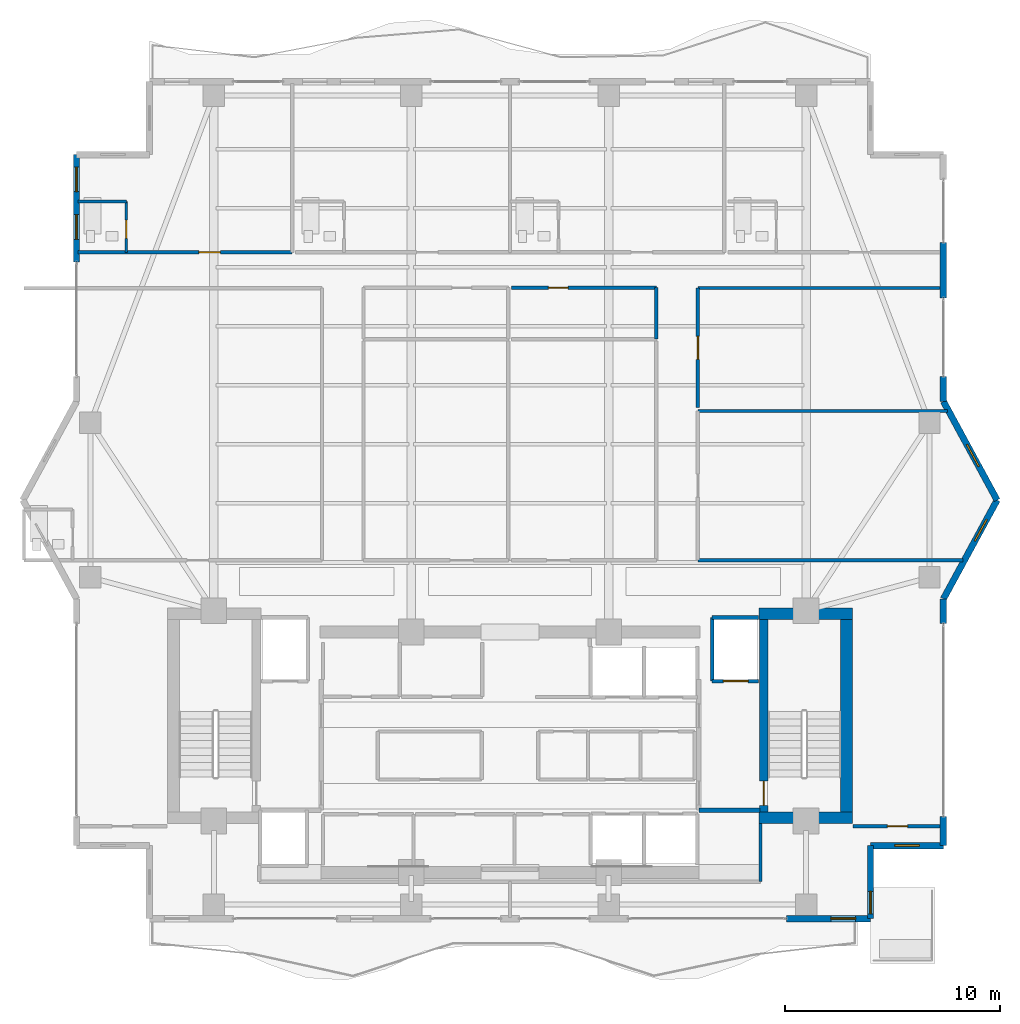
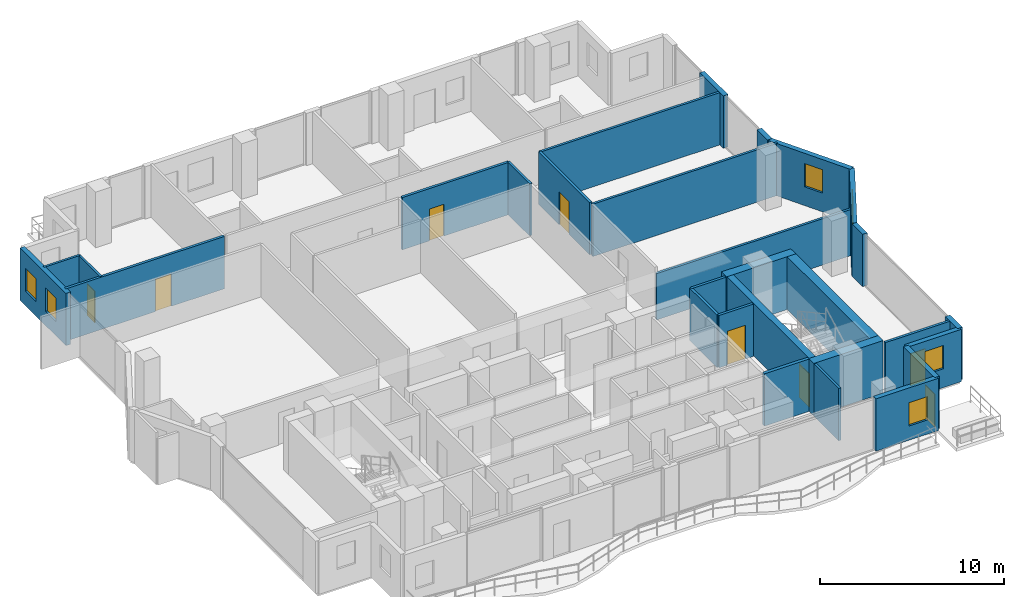
# One storey, part 21 of 26: 29 walls, 8 doors, 6 windows, 14 openings.
"""IFC4 building model written with IfcOpenShell, lengths in metres."""

import ifcopenshell
import ifcopenshell.guid

model = None  # the IFC model being written
_history = None  # IfcOwnerHistory: only IFC2X3 demands one
_inside = {}  # id of a spatial element -> (the spatial element, [elements in it])
_under = {}  # id of a project, library or spatial element -> (it, [spatial elements below it])
_declared = {}  # id of a project -> (the project, [libraries it declares])
_typed = {}  # id of a type object -> (the type object, [elements of that type])
_made_of = {}  # id of a material, layer set ... -> (it, [elements and type objects made of it])


def new_model(schema):
    """Start an empty IFC model of exactly this schema.

    Asked for "IFC4X3", IfcOpenShell would pick the latest addendum, in which some entities
    have other attributes; the version numbers below select the first issue.
    IFC2X3 requires an IfcOwnerHistory on every rooted entity: one is made here for all.
    """
    global model, _history
    if schema == "IFC4X3":
        model = ifcopenshell.file(schema_version=(4, 3, 0, 0))
    else:
        model = ifcopenshell.file(schema=schema)
    _inside.clear()
    _under.clear()
    _declared.clear()
    _typed.clear()
    _made_of.clear()
    _history = None
    if model.schema == "IFC2X3":
        org = make("IfcOrganization", Name="unknown")
        user = make(
            "IfcPersonAndOrganization",
            ThePerson=make("IfcPerson", FamilyName="unknown"),
            TheOrganization=org,
        )
        app = make(
            "IfcApplication",
            ApplicationDeveloper=org,
            Version="unknown",
            ApplicationFullName="unknown",
            ApplicationIdentifier="unknown",
        )
        _history = make(
            "IfcOwnerHistory",
            OwningUser=user,
            OwningApplication=app,
            ChangeAction="ADDED",
            CreationDate=0,
        )
    return model


def make(cls, **values):
    """One entity of the class cls with the attributes given. An attribute that is None is left unset."""
    return model.create_entity(
        cls, **{name: value for name, value in values.items() if value is not None}
    )


def rooted(cls, **values):
    """An entity with a GlobalId (a new one), such as an element, a storey or a relation."""
    return make(cls, GlobalId=ifcopenshell.guid.new(), OwnerHistory=_history, **values)


def si_unit(unit_type, name, prefix=None):
    """IfcSIUnit, for example si_unit("LENGTHUNIT", "METRE", prefix="MILLI")."""
    return make("IfcSIUnit", UnitType=unit_type, Prefix=prefix, Name=name)


def assignment(units):
    """IfcUnitAssignment: the units of a project."""
    return None if units is None else make("IfcUnitAssignment", Units=units)


def point(xyz):
    """IfcCartesianPoint."""
    return None if xyz is None else make("IfcCartesianPoint", Coordinates=xyz)


def direction(xyz):
    """IfcDirection."""
    return None if xyz is None else make("IfcDirection", DirectionRatios=xyz)


def frame(location, z_axis=None, x_axis=None):
    """IfcAxis2Placement3D, a coordinate frame: its origin and axes. An axis left out is left unset."""
    return make(
        "IfcAxis2Placement3D",
        Location=point(location),
        Axis=direction(z_axis),
        RefDirection=direction(x_axis),
    )


def frame_2d(location, x_axis=None):
    """IfcAxis2Placement2D, a coordinate frame in the plane: its origin and x axis."""
    return make(
        "IfcAxis2Placement2D", Location=point(location), RefDirection=direction(x_axis)
    )


def origin():
    """The frame at (0, 0, 0) with its axes left unset."""
    return frame((0.0, 0.0, 0.0))


def place(relative_to, where):
    """IfcLocalPlacement: puts the frame where relative to a parent placement (None: the world)."""
    return make(
        "IfcLocalPlacement", PlacementRelTo=relative_to, RelativePlacement=where
    )


def context(
    kind, dimensions, precision=None, world=None, true_north=None, identifier=None
):
    """IfcGeometricRepresentationContext, for example the 3D "Model" context."""
    return make(
        "IfcGeometricRepresentationContext",
        ContextIdentifier=identifier,
        ContextType=kind,
        CoordinateSpaceDimension=dimensions,
        Precision=precision,
        WorldCoordinateSystem=world,
        TrueNorth=true_north,
    )


def subcontext(parent, identifier, kind, view, scale=None):
    """IfcGeometricRepresentationSubContext, for example "Body" below "Model"."""
    return make(
        "IfcGeometricRepresentationSubContext",
        ContextIdentifier=identifier,
        ContextType=kind,
        ParentContext=parent,
        TargetScale=scale,
        TargetView=view,
    )


def project(units=None, contexts=None):
    """IfcProject with its units and contexts."""
    return rooted(
        "IfcProject",
        Name="project",
        RepresentationContexts=contexts,
        UnitsInContext=assignment(units),
    )


def spatial(cls, under=None, at=None, **own):
    """A site, building, storey or space (cls), placed at a placement, below another one or the project."""
    s = rooted(cls, ObjectPlacement=at, **own)
    if under is not None:
        _under.setdefault(under.id(), (under, []))[1].append(s)
    return s


def profile(cls, at=None, kind="AREA", **sizes):
    """A parametric profile (cls). Its sizes go by their IFC names, for example OverallWidth=200.0."""
    return make(cls, ProfileType=kind, Position=at, **sizes)


def rectangle(**sizes):
    """IfcRectangleProfileDef."""
    return profile("IfcRectangleProfileDef", **sizes)


def extrude(swept, where, along, depth):
    """IfcExtrudedAreaSolid: the profile swept, set in the frame where, extruded along a direction by depth."""
    return make(
        "IfcExtrudedAreaSolid",
        SweptArea=swept,
        Position=where,
        ExtrudedDirection=direction(along),
        Depth=depth,
    )


def shape(context_of_items, identifier, shape_type, items):
    """IfcShapeRepresentation: the items that make up one representation, for example the "Body"."""
    return make(
        "IfcShapeRepresentation",
        ContextOfItems=context_of_items,
        RepresentationIdentifier=identifier,
        RepresentationType=shape_type,
        Items=items,
    )


def material(Name=None, Category=None):
    """IfcMaterial."""
    return make("IfcMaterial", Name=Name, Category=Category)


def layer(
    of_material, thickness, ventilated=None, Name=None, Category=None, Priority=None
):
    """IfcMaterialLayer: one layer of a wall or slab, of a material (None: an air gap)."""
    return make(
        "IfcMaterialLayer",
        Material=of_material,
        LayerThickness=thickness,
        IsVentilated=ventilated,
        Name=Name,
        Category=Category,
        Priority=Priority,
    )


def layer_set(layers, Name=None):
    """IfcMaterialLayerSet."""
    return make("IfcMaterialLayerSet", MaterialLayers=layers, LayerSetName=Name)


def made_of(thing, what):
    """Note that an element or type object is made of a material, layer set ...; save() writes the relation."""
    if what is not None:
        _made_of.setdefault(what.id(), (what, []))[1].append(thing)
    return thing


def type_object(cls, material=None, **own):
    """A type object (cls), such as IfcWallType, which elements share."""
    return made_of(rooted(cls, **own), material)


def element(
    cls,
    number,
    at=None,
    inside=None,
    cuts=None,
    type_object=None,
    material=None,
    context=None,
    identifier="Body",
    shape_type=None,
    held_by="IfcProductDefinitionShape",
    body=None,
    shapes=None,
    **own,
):
    """One element of the class cls, such as IfcWall. Its Tag is "e" and its number.

    at: its placement. inside: the storey or other place that contains it. cuts: it is an
    opening in that element (IfcRelVoidsElement). A single representation is given by context,
    identifier, shape_type and body (its items); several are given by shapes. held_by: the class
    of the entity that holds the representations. save() writes the other relations.
    """
    e = rooted(cls, Tag="e%d" % number, ObjectPlacement=at, **own)
    if body is not None:
        shapes = [shape(context, identifier, shape_type, body)]
    if shapes is not None:
        e.Representation = make(held_by, Representations=shapes)
    if inside is not None:
        _inside.setdefault(inside.id(), (inside, []))[1].append(e)
    if cuts is not None:
        rooted(
            "IfcRelVoidsElement", RelatingBuildingElement=cuts, RelatedOpeningElement=e
        )
    if type_object is not None:
        _typed.setdefault(type_object.id(), (type_object, []))[1].append(e)
    return made_of(e, material)


def fill(opening, filler):
    """IfcRelFillsElement: the door or window that sits in an opening."""
    return rooted(
        "IfcRelFillsElement",
        RelatingOpeningElement=opening,
        RelatedBuildingElement=filler,
    )


def aggregate(whole, parts):
    """IfcRelAggregates: a whole, such as a stair, and the parts it consists of."""
    return rooted("IfcRelAggregates", RelatingObject=whole, RelatedObjects=parts)


def save(model, path):
    """Write the relations noted so far, then the file.

    IfcRelAggregates (storeys below a building ...), IfcRelContainedInSpatialStructure (elements
    in a storey), IfcRelDefinesByType, IfcRelAssociatesMaterial and IfcRelDeclares: one each for
    every whole, place, type object, material and project.
    """
    for whole, parts in _under.values():
        aggregate(whole, parts)
    for where, things in _inside.values():
        rooted(
            "IfcRelContainedInSpatialStructure",
            RelatedElements=things,
            RelatingStructure=where,
        )
    for kind, things in _typed.values():
        rooted("IfcRelDefinesByType", RelatedObjects=things, RelatingType=kind)
    for what, things in _made_of.values():
        rooted("IfcRelAssociatesMaterial", RelatedObjects=things, RelatingMaterial=what)
    for by, libraries in _declared.values():
        rooted("IfcRelDeclares", RelatingContext=by, RelatedDefinitions=libraries)
    model.write(path)


model = new_model("IFC4")

# Units and contexts
model_context = context("Model", 3, precision=1e-05, world=origin(), true_north=direction((0.0, 1.0)))
body_context = subcontext(model_context, "Body", "Model", "MODEL_VIEW")
ifc_project = project(units=[si_unit("LENGTHUNIT", "METRE"), si_unit("AREAUNIT", "SQUARE_METRE"), si_unit("VOLUMEUNIT", "CUBIC_METRE"), si_unit("PLANEANGLEUNIT", "RADIAN"), si_unit("MASSUNIT", "GRAM", prefix="KILO")], contexts=[model_context])

# Site, building, storey
site_placement = place(None, origin())
site = spatial("IfcSite", under=ifc_project, at=site_placement, CompositionType="ELEMENT")
building_placement = place(site_placement, origin())
building = spatial("IfcBuilding", under=site, at=building_placement, Name="Zuhayl Quay Hotel", CompositionType="ELEMENT")
storey_placement = place(building_placement, frame((0.0, 0.0, 254.449951171875)))
storey = spatial("IfcBuildingStorey", under=building, at=storey_placement, Name="L64", CompositionType="ELEMENT", Elevation=254.449951171875)

# Walls
ifc_material_1 = material(Name="Concrete C50/60", Category="concrete")
ifc_layer_1 = layer(ifc_material_1, 0.550048828125, Name="Concrete C50/60", Category="concrete")
ifc_layer_set_1 = layer_set([ifc_layer_1], Name="Concrete C50/60")
wall_type_1 = type_object("IfcWallType", Name="WL_CORE_550", PredefinedType="SHEAR", material=ifc_layer_set_1)
wall_1_placement = place(storey_placement, frame((11.60009765625, 14.205078125, 0.0), z_axis=(0.0, 0.0, 1.0), x_axis=(1.0, 0.0, 0.0)))
element("IfcWall", 1, at=wall_1_placement, inside=storey, type_object=wall_type_1, Name="L64 Core Shear Wall CW_NE", PredefinedType="SHEAR", context=body_context, shape_type="SweptSolid", body=[
    extrude(rectangle(XDim=4.35986328125, YDim=0.550048828125, at=frame_2d((2.179931640625, 0.0))), origin(), (0.0, 0.0, 1.0), 3.510009765625),
])
wall_2_placement = place(storey_placement, frame((15.68505859375, 4.969970703125, 0.0), z_axis=(0.0, 0.0, 1.0), x_axis=(0.0, 1.0, 0.0)))
element("IfcWall", 2, at=wall_2_placement, inside=storey, type_object=wall_type_1, Name="L64 Core Shear Wall CW_E", PredefinedType="SHEAR", context=body_context, shape_type="SweptSolid", body=[
    extrude(rectangle(XDim=8.9599609375, YDim=0.550048828125, at=frame_2d((4.47998046875, 0.0))), origin(), (0.0, 0.0, 1.0), 3.510009765625),
])
wall_3_placement = place(storey_placement, frame((11.60009765625, 4.695068359375, 0.0), z_axis=(0.0, 0.0, 1.0), x_axis=(1.0, 0.0, 0.0)))
element("IfcWall", 3, at=wall_3_placement, inside=storey, type_object=wall_type_1, Name="L64 Core Shear Wall CW_SE", PredefinedType="SHEAR", context=body_context, shape_type="SweptSolid", body=[
    extrude(rectangle(XDim=4.35986328125, YDim=0.550048828125, at=frame_2d((2.179931640625, 0.0))), origin(), (0.0, 0.0, 1.0), 3.510009765625),
])

# Wall, openings, windows
ifc_material_2 = material(Name="Precast concrete C45/55", Category="concrete")
ifc_layer_2 = layer(ifc_material_2, 0.300048828125, Name="Precast concrete C45/55", Category="concrete")
ifc_layer_set_2 = layer_set([ifc_layer_2], Name="Precast concrete C45/55")
wall_type_2 = type_object("IfcWallType", Name="WL_EXT_300", PredefinedType="STANDARD", material=ifc_layer_set_2)
wall_4_placement = place(storey_placement, frame((-20.199951171875, 30.60009765625, 0.0), z_axis=(0.0, 0.0, 1.0), x_axis=(0.0, 1.0, 0.0)))
wall_4 = element("IfcWall", 4, at=wall_4_placement, inside=storey, type_object=wall_type_2, Name="L64 Exterior Precast Wall ENV_L64_E05_EW2", PredefinedType="STANDARD", context=body_context, shape_type="SweptSolid", body=[
    extrude(rectangle(XDim=5.0, YDim=0.300048828125, at=frame_2d((2.5, 0.0))), origin(), (0.0, 0.0, 1.0), 3.47998046875),
])
opening_1_placement = place(wall_4_placement, frame((1.054931640625, 0.0, 0.949951171875)))
opening_1 = element("IfcOpeningElement", 5, at=opening_1_placement, cuts=wall_4, Name="Opening W01N", PredefinedType="OPENING", context=body_context, shape_type="SweptSolid", body=[
    extrude(rectangle(XDim=1.14990234375, YDim=1.550048828125, at=frame_2d((0.574951171875, 0.77490234375))), frame((0.0, 0.159912109375, 0.0), z_axis=(0.0, -1.0, 0.0), x_axis=(1.0, 0.0, 0.0)), (0.0, 0.0, 1.0), 0.320068359375),
])
opening_2_placement = place(wall_4_placement, frame((3.27001953125, 0.0, 0.949951171875)))
opening_2 = element("IfcOpeningElement", 6, at=opening_2_placement, cuts=wall_4, Name="Opening W01N", PredefinedType="OPENING", context=body_context, shape_type="SweptSolid", body=[
    extrude(rectangle(XDim=1.14990234375, YDim=1.550048828125, at=frame_2d((0.574951171875, 0.77490234375))), frame((0.0, 0.159912109375, 0.0), z_axis=(0.0, -1.0, 0.0), x_axis=(1.0, 0.0, 0.0)), (0.0, 0.0, 1.0), 0.320068359375),
])
ifc_material_3 = material(Name="Dark Ceramic-Fritted Solar Glass", Category="glass")
window_type = type_object("IfcWindowType", Name="WN_NOTCH_1350", PartitioningType="SINGLE_PANEL", PredefinedType="WINDOW", material=ifc_material_3)
window_1_placement = place(opening_1_placement, origin())
window_1 = element("IfcWindow", 7, at=window_1_placement, inside=storey, type_object=window_type, Name="L64 Operable Facade Window 2-1", OverallHeight=1.550048828125, OverallWidth=1.14990234375, PartitioningType="SINGLE_PANEL", PredefinedType="WINDOW", context=body_context, shape_type="SweptSolid", body=[
    extrude(rectangle(XDim=1.14990234375, YDim=1.550048828125, at=frame_2d((0.574951171875, 0.77490234375))), frame((0.0, 0.030029296875, 0.0), z_axis=(0.0, -1.0, 0.0), x_axis=(1.0, 0.0, 0.0)), (0.0, 0.0, 1.0), 0.06005859375),
])
fill(opening_1, window_1)
window_2_placement = place(opening_2_placement, origin())
window_2 = element("IfcWindow", 8, at=window_2_placement, inside=storey, type_object=window_type, Name="L64 Operable Facade Window 2-2", OverallHeight=1.550048828125, OverallWidth=1.14990234375, PartitioningType="SINGLE_PANEL", PredefinedType="WINDOW", context=body_context, shape_type="SweptSolid", body=[
    extrude(rectangle(XDim=1.14990234375, YDim=1.550048828125, at=frame_2d((0.574951171875, 0.77490234375))), frame((0.0, 0.030029296875, 0.0), z_axis=(0.0, -1.0, 0.0), x_axis=(1.0, 0.0, 0.0)), (0.0, 0.0, 1.0), 0.06005859375),
])
fill(opening_2, window_2)

# Walls
wall_5_placement = place(storey_placement, frame((20.199951171875, 31.5, 0.0), z_axis=(0.0, 0.0, 1.0), x_axis=(0.0, -1.0, 0.0)))
element("IfcWall", 9, at=wall_5_placement, inside=storey, type_object=wall_type_2, Name="L64 Exterior Precast Wall ENV_L64_E11_EW2", PredefinedType="STANDARD", context=body_context, shape_type="SweptSolid", body=[
    extrude(rectangle(XDim=2.570068359375, YDim=0.300048828125, at=frame_2d((1.28515625, 0.0))), origin(), (0.0, 0.0, 1.0), 3.47998046875),
])
wall_6_placement = place(storey_placement, frame((20.199951171875, 25.25, 0.0), z_axis=(0.0, 0.0, 1.0), x_axis=(0.0, -1.0, 0.0)))
element("IfcWall", 10, at=wall_6_placement, inside=storey, type_object=wall_type_2, Name="L64 Exterior Precast Wall ENV_L64_E11_EW3", PredefinedType="STANDARD", context=body_context, shape_type="SweptSolid", body=[
    extrude(rectangle(XDim=1.14990234375, YDim=0.300048828125, at=frame_2d((0.574951171875, 0.0))), origin(), (0.0, 0.0, 1.0), 3.47998046875),
])

# Wall, opening, window
wall_7_placement = place(storey_placement, frame((20.199951171875, 24.10009765625, 0.0), z_axis=(0.0, 0.0, 1.0), x_axis=(0.477505494629, -0.878628762675, 0.0)))
wall_7 = element("IfcWall", 11, at=wall_7_placement, inside=storey, type_object=wall_type_2, Name="L64 Exterior Precast Wall ENV_L64_EW12", PredefinedType="STANDARD", context=body_context, shape_type="SweptSolid", body=[
    extrude(rectangle(XDim=5.235595703125, YDim=0.300048828125, at=frame_2d((2.61767578125, 0.0))), origin(), (0.0, 0.0, 1.0), 3.47998046875),
])
opening_3_placement = place(wall_7_placement, frame((2.29443359375, 0.0, 1.25)))
opening_3 = element("IfcOpeningElement", 12, at=opening_3_placement, cuts=wall_7, Name="Opening W01N", PredefinedType="OPENING", context=body_context, shape_type="SweptSolid", body=[
    extrude(rectangle(XDim=1.14990234375, YDim=1.550048828125, at=frame_2d((0.574951171875, 0.77490234375))), frame((0.0, 0.159912109375, 0.0), z_axis=(0.0, -1.0, 0.0), x_axis=(1.0, 0.0, 0.0)), (0.0, 0.0, 1.0), 0.320068359375),
])
window_3_placement = place(opening_3_placement, origin())
window_3 = element("IfcWindow", 13, at=window_3_placement, inside=storey, type_object=window_type, Name="L64 Corner Notch Window 12", OverallHeight=1.550048828125, OverallWidth=1.14990234375, PartitioningType="SINGLE_PANEL", PredefinedType="WINDOW", context=body_context, shape_type="SweptSolid", body=[
    extrude(rectangle(XDim=1.14990234375, YDim=1.550048828125, at=frame_2d((0.574951171875, 0.77490234375))), frame((0.0, 0.030029296875, 0.0), z_axis=(0.0, -1.0, 0.0), x_axis=(1.0, 0.0, 0.0)), (0.0, 0.0, 1.0), 0.06005859375),
])
fill(opening_3, window_3)

wall_8_placement = place(storey_placement, frame((22.699951171875, 19.5, 0.0), z_axis=(0.0, 0.0, 1.0), x_axis=(-0.477505494629, -0.878628762675, 0.0)))
wall_8 = element("IfcWall", 14, at=wall_8_placement, inside=storey, type_object=wall_type_2, Name="L64 Exterior Precast Wall ENV_L64_EW13", PredefinedType="STANDARD", context=body_context, shape_type="SweptSolid", body=[
    extrude(rectangle(XDim=5.235595703125, YDim=0.300048828125, at=frame_2d((2.61767578125, 0.0))), origin(), (0.0, 0.0, 1.0), 3.47998046875),
])
opening_4_placement = place(wall_8_placement, frame((1.022705078125, 0.0, 1.25)))
opening_4 = element("IfcOpeningElement", 15, at=opening_4_placement, cuts=wall_8, Name="Opening W01N", PredefinedType="OPENING", context=body_context, shape_type="SweptSolid", body=[
    extrude(rectangle(XDim=1.14990234375, YDim=1.550048828125, at=frame_2d((0.574951171875, 0.77490234375))), frame((0.0, 0.159912109375, 0.0), z_axis=(0.0, -1.0, 0.0), x_axis=(1.0, 0.0, 0.0)), (0.0, 0.0, 1.0), 0.320068359375),
])
window_4_placement = place(opening_4_placement, origin())
window_4 = element("IfcWindow", 16, at=window_4_placement, inside=storey, type_object=window_type, Name="L64 Corner Notch Window 13", OverallHeight=1.550048828125, OverallWidth=1.14990234375, PartitioningType="SINGLE_PANEL", PredefinedType="WINDOW", context=body_context, shape_type="SweptSolid", body=[
    extrude(rectangle(XDim=1.14990234375, YDim=1.550048828125, at=frame_2d((0.574951171875, 0.77490234375))), frame((0.0, 0.030029296875, 0.0), z_axis=(0.0, -1.0, 0.0), x_axis=(1.0, 0.0, 0.0)), (0.0, 0.0, 1.0), 0.06005859375),
])
fill(opening_4, window_4)

# Walls
wall_9_placement = place(storey_placement, frame((20.199951171875, 14.89990234375, 0.0), z_axis=(0.0, 0.0, 1.0), x_axis=(0.0, -1.0, 0.0)))
element("IfcWall", 17, at=wall_9_placement, inside=storey, type_object=wall_type_2, Name="L64 Exterior Precast Wall ENV_L64_E14_EW1", PredefinedType="STANDARD", context=body_context, shape_type="SweptSolid", body=[
    extrude(rectangle(XDim=1.14990234375, YDim=0.300048828125, at=frame_2d((0.574951171875, 0.0))), origin(), (0.0, 0.0, 1.0), 3.47998046875),
])
wall_10_placement = place(storey_placement, frame((20.199951171875, 4.75, 0.0), z_axis=(0.0, 0.0, 1.0), x_axis=(0.0, -1.0, 0.0)))
element("IfcWall", 18, at=wall_10_placement, inside=storey, type_object=wall_type_2, Name="L64 Exterior Precast Wall ENV_L64_E14_EW2", PredefinedType="STANDARD", context=body_context, shape_type="SweptSolid", body=[
    extrude(rectangle(XDim=1.35009765625, YDim=0.300048828125, at=frame_2d((0.675048828125, 0.0))), origin(), (0.0, 0.0, 1.0), 3.47998046875),
])

# Wall, opening, window
wall_11_placement = place(storey_placement, frame((20.199951171875, 3.39990234375, 0.0), z_axis=(0.0, 0.0, 1.0), x_axis=(-1.0, 0.0, 0.0)))
wall_11 = element("IfcWall", 19, at=wall_11_placement, inside=storey, type_object=wall_type_2, Name="L64 Exterior Precast Wall ENV_L64_EW15", PredefinedType="STANDARD", context=body_context, shape_type="SweptSolid", body=[
    extrude(rectangle(XDim=3.39990234375, YDim=0.300048828125, at=frame_2d((1.699951171875, 0.0))), origin(), (0.0, 0.0, 1.0), 3.47998046875),
])
opening_5_placement = place(wall_11_placement, frame((1.125, 0.0, 1.25)))
opening_5 = element("IfcOpeningElement", 20, at=opening_5_placement, cuts=wall_11, Name="Opening W01N", PredefinedType="OPENING", context=body_context, shape_type="SweptSolid", body=[
    extrude(rectangle(XDim=1.14990234375, YDim=1.550048828125, at=frame_2d((0.574951171875, 0.77490234375))), frame((0.0, 0.159912109375, 0.0), z_axis=(0.0, -1.0, 0.0), x_axis=(1.0, 0.0, 0.0)), (0.0, 0.0, 1.0), 0.320068359375),
])
window_5_placement = place(opening_5_placement, origin())
window_5 = element("IfcWindow", 21, at=window_5_placement, inside=storey, type_object=window_type, Name="L64 Corner Notch Window 15", OverallHeight=1.550048828125, OverallWidth=1.14990234375, PartitioningType="SINGLE_PANEL", PredefinedType="WINDOW", context=body_context, shape_type="SweptSolid", body=[
    extrude(rectangle(XDim=1.14990234375, YDim=1.550048828125, at=frame_2d((0.574951171875, 0.77490234375))), frame((0.0, 0.030029296875, 0.0), z_axis=(0.0, -1.0, 0.0), x_axis=(1.0, 0.0, 0.0)), (0.0, 0.0, 1.0), 0.06005859375),
])
fill(opening_5, window_5)

# Wall, opening, door
wall_12_placement = place(storey_placement, frame((16.800048828125, 3.39990234375, 0.0), z_axis=(0.0, 0.0, 1.0), x_axis=(0.0, -1.0, 0.0)))
wall_12 = element("IfcWall", 22, at=wall_12_placement, inside=storey, type_object=wall_type_2, Name="L64 Exterior Precast Wall ENV_L64_SP_SE", PredefinedType="STANDARD", context=body_context, shape_type="SweptSolid", body=[
    extrude(rectangle(XDim=3.39990234375, YDim=0.300048828125, at=frame_2d((1.699951171875, 0.0))), origin(), (0.0, 0.0, 1.0), 3.47998046875),
])
opening_6_placement = place(wall_12_placement, frame((2.1298828125, 0.0, 0.0)))
opening_6 = element("IfcOpeningElement", 23, at=opening_6_placement, cuts=wall_12, Name="Opening DG1", PredefinedType="OPENING", context=body_context, shape_type="SweptSolid", body=[
    extrude(rectangle(XDim=1.050048828125, YDim=2.199951171875, at=frame_2d((0.52490234375, 1.10009765625))), frame((0.0, 0.159912109375, 0.0), z_axis=(0.0, -1.0, 0.0), x_axis=(1.0, 0.0, 0.0)), (0.0, 0.0, 1.0), 0.320068359375),
])
ifc_material_4 = material(Name="Anodised Aluminium and Dark Solar Glass", Category="aluminium")
door_type_1 = type_object("IfcDoorType", Name="DR_EXT_TERR_1050", OperationType="NOTDEFINED", PredefinedType="DOOR", material=ifc_material_4)
door_1_placement = place(opening_6_placement, origin())
door_1 = element("IfcDoor", 24, at=door_1_placement, inside=storey, type_object=door_type_1, Name="L64 Spiral Sky-Terrace SE Access Door", OperationType="SINGLE_SWING_LEFT", OverallHeight=2.199951171875, OverallWidth=1.050048828125, PredefinedType="DOOR", context=body_context, shape_type="SweptSolid", body=[
    extrude(rectangle(XDim=1.050048828125, YDim=2.199951171875, at=frame_2d((0.52490234375, 1.10009765625))), frame((0.0, 0.02490234375, 0.0), z_axis=(0.0, -1.0, 0.0), x_axis=(1.0, 0.0, 0.0)), (0.0, 0.0, 1.0), 0.050048828125),
])
fill(opening_6, door_1)

# Wall, opening, window
wall_13_placement = place(storey_placement, frame((16.800048828125, 0.0, 0.0), z_axis=(0.0, 0.0, 1.0), x_axis=(-1.0, 0.0, 0.0)))
wall_13 = element("IfcWall", 25, at=wall_13_placement, inside=storey, type_object=wall_type_2, Name="L64 Exterior Precast Wall ENV_L64_S_EW1", PredefinedType="STANDARD", context=body_context, shape_type="SweptSolid", body=[
    extrude(rectangle(XDim=3.920166015625, YDim=0.300048828125, at=frame_2d((1.9599609375, 0.0))), origin(), (0.0, 0.0, 1.0), 3.47998046875),
])
opening_7_placement = place(wall_13_placement, frame((0.695068359375, 0.0, 0.949951171875)))
opening_7 = element("IfcOpeningElement", 26, at=opening_7_placement, cuts=wall_13, Name="Opening W01N", PredefinedType="OPENING", context=body_context, shape_type="SweptSolid", body=[
    extrude(rectangle(XDim=1.14990234375, YDim=1.550048828125, at=frame_2d((0.574951171875, 0.77490234375))), frame((0.0, 0.159912109375, 0.0), z_axis=(0.0, -1.0, 0.0), x_axis=(1.0, 0.0, 0.0)), (0.0, 0.0, 1.0), 0.320068359375),
])
window_6_placement = place(opening_7_placement, origin())
window_6 = element("IfcWindow", 27, at=window_6_placement, inside=storey, type_object=window_type, Name="L64 Operable Facade Window 1-1", OverallHeight=1.550048828125, OverallWidth=1.14990234375, PartitioningType="SINGLE_PANEL", PredefinedType="WINDOW", context=body_context, shape_type="SweptSolid", body=[
    extrude(rectangle(XDim=1.14990234375, YDim=1.550048828125, at=frame_2d((0.574951171875, 0.77490234375))), frame((0.0, 0.030029296875, 0.0), z_axis=(0.0, -1.0, 0.0), x_axis=(1.0, 0.0, 0.0)), (0.0, 0.0, 1.0), 0.06005859375),
])
fill(opening_7, window_6)

# Walls
ifc_material_5 = material(Name="Acoustic Gypsum Partition STC-58")
ifc_layer_3 = layer(ifc_material_5, 0.14990234375, Name="Acoustic Gypsum Partition STC-58")
ifc_layer_set_3 = layer_set([ifc_layer_3], Name="Acoustic Gypsum Partition STC-58")
wall_type_3 = type_object("IfcWallType", Name="WL_PART_150", PredefinedType="PARTITIONING", material=ifc_layer_set_3)
wall_14_placement = place(storey_placement, frame((11.679931640625, 1.719970703125, 0.0), z_axis=(0.0, 0.0, 1.0), x_axis=(0.0, 1.0, 0.0)))
element("IfcWall", 28, at=wall_14_placement, inside=storey, type_object=wall_type_3, Name="L64 Partition IW_L64_Z4_SUN_SE_IN", PredefinedType="PARTITIONING", context=body_context, shape_type="SweptSolid", body=[
    extrude(rectangle(XDim=2.699951171875, YDim=0.14990234375, at=frame_2d((1.35009765625, 0.0))), origin(), (0.0, 0.0, 1.0), 3.47998046875),
])
wall_15_placement = place(storey_placement, frame((6.820068359375, 27.0, 0.0), z_axis=(0.0, 0.0, 1.0), x_axis=(0.0, 1.0, 0.0)))
element("IfcWall", 29, at=wall_15_placement, inside=storey, type_object=wall_type_3, Name="L64 Partition IW_L64_TEA_MAIN_E", PredefinedType="PARTITIONING", context=body_context, shape_type="SweptSolid", body=[
    extrude(rectangle(XDim=2.39990234375, YDim=0.14990234375, at=frame_2d((1.199951171875, 0.0))), origin(), (0.0, 0.0, 1.0), 3.47998046875),
])
wall_16_placement = place(storey_placement, frame((8.760009765625, 16.699951171875, 0.0), z_axis=(0.0, 0.0, 1.0), x_axis=(1.0, 0.0, 0.0)))
element("IfcWall", 30, at=wall_16_placement, inside=storey, type_object=wall_type_3, Name="L64 Partition IW_L64_Z4_E1_S", PredefinedType="PARTITIONING", context=body_context, shape_type="SweptSolid", body=[
    extrude(rectangle(XDim=12.3583984375, YDim=0.14990234375, at=frame_2d((6.17919921875, 0.0))), origin(), (0.0, 0.0, 1.0), 3.075927734375),
])
wall_17_placement = place(storey_placement, frame((8.760009765625, 23.64990234375, 0.0), z_axis=(0.0, 0.0, 1.0), x_axis=(1.0, 0.0, 0.0)))
element("IfcWall", 31, at=wall_17_placement, inside=storey, type_object=wall_type_3, Name="L64 Partition IW_L64_Z4_E1_N", PredefinedType="PARTITIONING", context=body_context, shape_type="SweptSolid", body=[
    extrude(rectangle(XDim=11.62451171875, YDim=0.14990234375, at=frame_2d((5.812255859375, 0.0))), origin(), (0.0, 0.0, 1.0), 3.47998046875),
])
wall_18_placement = place(storey_placement, frame((8.760009765625, 29.3798828125, 0.0), z_axis=(0.0, 0.0, 1.0), x_axis=(1.0, 0.0, 0.0)))
element("IfcWall", 32, at=wall_18_placement, inside=storey, type_object=wall_type_3, Name="L64 Partition IW_L64_Z4_E2_N", PredefinedType="PARTITIONING", context=body_context, shape_type="SweptSolid", body=[
    extrude(rectangle(XDim=11.3798828125, YDim=0.14990234375, at=frame_2d((5.68994140625, 0.0))), origin(), (0.0, 0.0, 1.0), 3.47998046875),
])

# Wall, opening, door
ifc_layer_4 = layer(ifc_material_5, 0.159912109375, Name="Acoustic Gypsum Partition STC-58")
ifc_layer_set_4 = layer_set([ifc_layer_4], Name="Acoustic Gypsum Partition STC-58")
wall_type_4 = type_object("IfcWallType", Name="WL_PART_CORR_160", PredefinedType="PARTITIONING", material=ifc_layer_set_4)
wall_19_placement = place(storey_placement, frame((15.97998046875, 4.300048828125, 0.0), z_axis=(0.0, 0.0, 1.0), x_axis=(1.0, 0.0, 0.0)))
wall_19 = element("IfcWall", 33, at=wall_19_placement, inside=storey, type_object=wall_type_4, Name="L64 Partition IW_L64_Z4_SUN_SE_N", PredefinedType="PARTITIONING", context=body_context, shape_type="SweptSolid", body=[
    extrude(rectangle(XDim=4.159912109375, YDim=0.159912109375, at=frame_2d((2.080078125, 0.0))), origin(), (0.0, 0.0, 1.0), 3.47998046875),
])
opening_8_placement = place(wall_19_placement, frame((1.60498046875, 0.0, 0.0)))
opening_8 = element("IfcOpeningElement", 34, at=opening_8_placement, cuts=wall_19, Name="Opening D03", PredefinedType="OPENING", context=body_context, shape_type="SweptSolid", body=[
    extrude(rectangle(XDim=0.949951171875, YDim=2.14990234375, at=frame_2d((0.47509765625, 1.074951171875))), frame((0.0, 0.08984375, 0.0), z_axis=(0.0, -1.0, 0.0), x_axis=(1.0, 0.0, 0.0)), (0.0, 0.0, 1.0), 0.179931640625),
])
ifc_material_6 = material(Name="Solid Walnut Acoustic Fire Door")
door_type_2 = type_object("IfcDoorType", Name="DR_SUITE_950", OperationType="NOTDEFINED", PredefinedType="DOOR", material=ifc_material_6)
door_2_placement = place(opening_8_placement, origin())
door_2 = element("IfcDoor", 35, at=door_2_placement, inside=storey, type_object=door_type_2, Name="L64 Sunset Salon SE Door", OperationType="SINGLE_SWING_LEFT", OverallHeight=2.14990234375, OverallWidth=0.949951171875, PredefinedType="DOOR", context=body_context, shape_type="SweptSolid", body=[
    extrude(rectangle(XDim=0.949951171875, YDim=2.14990234375, at=frame_2d((0.47509765625, 1.074951171875))), frame((0.0, 0.02490234375, 0.0), z_axis=(0.0, -1.0, 0.0), x_axis=(1.0, 0.0, 0.0)), (0.0, 0.0, 1.0), 0.050048828125),
])
fill(opening_8, door_2)

wall_20_placement = place(storey_placement, frame((-20.139892578125, 31.050048828125, 0.0), z_axis=(0.0, 0.0, 1.0), x_axis=(1.0, 0.0, 0.0)))
wall_20 = element("IfcWall", 36, at=wall_20_placement, inside=storey, type_object=wall_type_4, Name="L64 Partition IW_L64_NU01A_COR", PredefinedType="PARTITIONING", context=body_context, shape_type="SweptSolid", body=[
    extrude(rectangle(XDim=9.989990234375, YDim=0.159912109375, at=frame_2d((4.9951171875, 0.0))), origin(), (0.0, 0.0, 1.0), 3.47998046875),
])
opening_9_placement = place(wall_20_placement, frame((5.64501953125, 0.0, 0.0)))
opening_9 = element("IfcOpeningElement", 37, at=opening_9_placement, cuts=wall_20, Name="Opening D03L", PredefinedType="OPENING", context=body_context, shape_type="SweptSolid", body=[
    extrude(rectangle(XDim=1.0, YDim=2.14990234375, at=frame_2d((0.5, 1.074951171875))), frame((0.0, 0.08984375, 0.0), z_axis=(0.0, -1.0, 0.0), x_axis=(1.0, 0.0, 0.0)), (0.0, 0.0, 1.0), 0.179931640625),
])
door_type_3 = type_object("IfcDoorType", Name="DR_SUITE_1000", OperationType="NOTDEFINED", PredefinedType="DOOR", material=ifc_material_6)
door_3_placement = place(opening_9_placement, origin())
door_3 = element("IfcDoor", 38, at=door_3_placement, inside=storey, type_object=door_type_3, Name="L64 Royal Gulf Suite L64-01A Entrance Door", OperationType="SINGLE_SWING_LEFT", OverallHeight=2.14990234375, OverallWidth=1.0, PredefinedType="DOOR", context=body_context, shape_type="SweptSolid", body=[
    extrude(rectangle(XDim=1.0, YDim=2.14990234375, at=frame_2d((0.5, 1.074951171875))), frame((0.0, 0.02490234375, 0.0), z_axis=(0.0, -1.0, 0.0), x_axis=(1.0, 0.0, 0.0)), (0.0, 0.0, 1.0), 0.050048828125),
])
fill(opening_9, door_3)

wall_21_placement = place(storey_placement, frame((0.080078125, 29.39990234375, 0.0), z_axis=(0.0, 0.0, 1.0), x_axis=(1.0, 0.0, 0.0)))
wall_21 = element("IfcWall", 39, at=wall_21_placement, inside=storey, type_object=wall_type_4, Name="L64 Partition IW_L64_TEA_MAIN_N", PredefinedType="PARTITIONING", context=body_context, shape_type="SweptSolid", body=[
    extrude(rectangle(XDim=6.739990234375, YDim=0.159912109375, at=frame_2d((3.3701171875, 0.0))), origin(), (0.0, 0.0, 1.0), 3.47998046875),
])
opening_10_placement = place(wall_21_placement, frame((1.7099609375, 0.0, 0.0)))
opening_10 = element("IfcOpeningElement", 40, at=opening_10_placement, cuts=wall_21, Name="Opening D05", PredefinedType="OPENING", context=body_context, shape_type="SweptSolid", body=[
    extrude(rectangle(XDim=0.919921875, YDim=2.1201171875, at=frame_2d((0.4599609375, 1.06005859375))), frame((0.0, 0.08984375, 0.0), z_axis=(0.0, -1.0, 0.0), x_axis=(1.0, 0.0, 0.0)), (0.0, 0.0, 1.0), 0.179931640625),
])
door_type_4 = type_object("IfcDoorType", Name="DR_INT_950", OperationType="NOTDEFINED", PredefinedType="DOOR", material=ifc_material_6)
door_4_placement = place(opening_10_placement, origin())
door_4 = element("IfcDoor", 41, at=door_4_placement, inside=storey, type_object=door_type_4, Name="L64 Floor Beverage Pantry Door", OperationType="SINGLE_SWING_LEFT", OverallHeight=2.1201171875, OverallWidth=0.919921875, PredefinedType="DOOR", context=body_context, shape_type="SweptSolid", body=[
    extrude(rectangle(XDim=0.919921875, YDim=2.1201171875, at=frame_2d((0.4599609375, 1.06005859375))), frame((0.0, 0.02490234375, 0.0), z_axis=(0.0, -1.0, 0.0), x_axis=(1.0, 0.0, 0.0)), (0.0, 0.0, 1.0), 0.050048828125),
])
fill(opening_10, door_4)

wall_22_placement = place(storey_placement, frame((8.760009765625, 23.81005859375, 0.0), z_axis=(0.0, 0.0, 1.0), x_axis=(0.0, 1.0, 0.0)))
wall_22 = element("IfcWall", 42, at=wall_22_placement, inside=storey, type_object=wall_type_4, Name="L64 Partition IW_L64_Z4_E2_W", PredefinedType="PARTITIONING", context=body_context, shape_type="SweptSolid", body=[
    extrude(rectangle(XDim=5.56982421875, YDim=0.159912109375, at=frame_2d((2.784912109375, 0.0))), origin(), (0.0, 0.0, 1.0), 3.47998046875),
])
opening_11_placement = place(wall_22_placement, frame((2.2451171875, 0.0, 0.0)))
opening_11 = element("IfcOpeningElement", 43, at=opening_11_placement, cuts=wall_22, Name="Opening D05A", PredefinedType="OPENING", context=body_context, shape_type="SweptSolid", body=[
    extrude(rectangle(XDim=1.080078125, YDim=2.179931640625, at=frame_2d((0.5400390625, 1.08984375))), frame((0.0, 0.08984375, 0.0), z_axis=(0.0, -1.0, 0.0), x_axis=(1.0, 0.0, 0.0)), (0.0, 0.0, 1.0), 0.179931640625),
])
door_type_5 = type_object("IfcDoorType", Name="DR_INT_1100", OperationType="NOTDEFINED", PredefinedType="DOOR", material=ifc_material_6)
door_5_placement = place(opening_11_placement, origin())
door_5 = element("IfcDoor", 44, at=door_5_placement, inside=storey, type_object=door_type_5, Name="L64 East Envoy Lounge Door", OperationType="SINGLE_SWING_LEFT", OverallHeight=2.179931640625, OverallWidth=1.080078125, PredefinedType="DOOR", context=body_context, shape_type="SweptSolid", body=[
    extrude(rectangle(XDim=1.080078125, YDim=2.179931640625, at=frame_2d((0.5400390625, 1.08984375))), frame((0.0, 0.02490234375, 0.0), z_axis=(0.0, -1.0, 0.0), x_axis=(1.0, 0.0, 0.0)), (0.0, 0.0, 1.0), 0.050048828125),
])
fill(opening_11, door_5)

ifc_material_7 = material(Name="Moisture-Resistant Sanitarychase Gypsum")
ifc_layer_5 = layer(ifc_material_7, 0.135009765625, Name="Moisture-Resistant Sanitarychase Gypsum")
ifc_layer_set_5 = layer_set([ifc_layer_5], Name="Moisture-Resistant Sanitarychase Gypsum")
wall_type_5 = type_object("IfcWallType", Name="WL_PART_PLUMB_150", PredefinedType="PLUMBINGWALL", material=ifc_layer_set_5)
wall_23_placement = place(storey_placement, frame((-17.8798828125, 31.050048828125, 0.0), z_axis=(0.0, 0.0, 1.0), x_axis=(0.0, 1.0, 0.0)))
wall_23 = element("IfcWall", 45, at=wall_23_placement, inside=storey, type_object=wall_type_5, Name="L64 Partition IW_L64_NU01A_BE", PredefinedType="PLUMBINGWALL", context=body_context, shape_type="SweptSolid", body=[
    extrude(rectangle(XDim=2.35986328125, YDim=0.135009765625, at=frame_2d((1.179931640625, 0.0))), origin(), (0.0, 0.0, 1.0), 3.47998046875),
])
opening_12_placement = place(wall_23_placement, frame((0.64990234375, 0.0, 0.0)))
opening_12 = element("IfcOpeningElement", 46, at=opening_12_placement, cuts=wall_23, Name="Opening D04", PredefinedType="OPENING", context=body_context, shape_type="SweptSolid", body=[
    extrude(rectangle(XDim=0.85009765625, YDim=2.10009765625, at=frame_2d((0.425048828125, 1.050048828125))), frame((0.0, 0.077392578125, 0.0), z_axis=(0.0, -1.0, 0.0), x_axis=(1.0, 0.0, 0.0)), (0.0, 0.0, 1.0), 0.155029296875),
])
ifc_material_8 = material(Name="Moisture-Resistant Walnut Veneer")
door_type_6 = type_object("IfcDoorType", Name="DR_BATH_850", OperationType="NOTDEFINED", PredefinedType="DOOR", material=ifc_material_8)
door_6_placement = place(opening_12_placement, origin())
door_6 = element("IfcDoor", 47, at=door_6_placement, inside=storey, type_object=door_type_6, Name="L64 Royal Gulf Suite L64-01A En-Suite Door", OperationType="SINGLE_SWING_RIGHT", OverallHeight=2.10009765625, OverallWidth=0.85009765625, PredefinedType="DOOR", context=body_context, shape_type="SweptSolid", body=[
    extrude(rectangle(XDim=0.85009765625, YDim=2.10009765625, at=frame_2d((0.425048828125, 1.050048828125))), frame((0.0, 0.02490234375, 0.0), z_axis=(0.0, -1.0, 0.0), x_axis=(1.0, 0.0, 0.0)), (0.0, 0.0, 1.0), 0.050048828125),
])
fill(opening_12, door_6)

# Wall
wall_24_placement = place(storey_placement, frame((-20.139892578125, 33.409912109375, 0.0), z_axis=(0.0, 0.0, 1.0), x_axis=(1.0, 0.0, 0.0)))
element("IfcWall", 48, at=wall_24_placement, inside=storey, type_object=wall_type_5, Name="L64 Partition IW_L64_NU01A_BN", PredefinedType="PLUMBINGWALL", context=body_context, shape_type="SweptSolid", body=[
    extrude(rectangle(XDim=2.260009765625, YDim=0.135009765625, at=frame_2d((1.1298828125, 0.0))), origin(), (0.0, 0.0, 1.0), 3.47998046875),
])

# Wall, opening, door
ifc_material_9 = material(Name="Gypsum Fireboard Assembly EI-90")
ifc_layer_6 = layer(ifc_material_9, 0.1650390625, Name="Gypsum Fireboard Assembly EI-90")
ifc_layer_set_6 = layer_set([ifc_layer_6], Name="Gypsum Fireboard Assembly EI-90")
wall_type_6 = type_object("IfcWallType", Name="WL_PART_SHAFT_160", PredefinedType="PARTITIONING", material=ifc_layer_set_6)
wall_25_placement = place(storey_placement, frame((9.419921875, 11.070068359375, 0.0), z_axis=(0.0, 0.0, 1.0), x_axis=(1.0, 0.0, 0.0)))
wall_25 = element("IfcWall", 49, at=wall_25_placement, inside=storey, type_object=wall_type_6, Name="L64 Partition IW_L64_SH_FL2_F", PredefinedType="PARTITIONING", context=body_context, shape_type="SweptSolid", body=[
    extrude(rectangle(XDim=2.16015625, YDim=0.1650390625, at=frame_2d((1.080078125, 0.0))), origin(), (0.0, 0.0, 1.0), 3.47998046875),
])
opening_13_placement = place(wall_25_placement, frame((0.530029296875, 0.0, 0.0)))
opening_13 = element("IfcOpeningElement", 50, at=opening_13_placement, cuts=wall_25, Name="Opening LD2", PredefinedType="OPENING", context=body_context, shape_type="SweptSolid", body=[
    extrude(rectangle(XDim=1.14990234375, YDim=2.25, at=frame_2d((0.574951171875, 1.125))), frame((0.0, 0.092529296875, 0.0), z_axis=(0.0, -1.0, 0.0), x_axis=(1.0, 0.0, 0.0)), (0.0, 0.0, 1.0), 0.18505859375),
])
ifc_material_10 = material(Name="Brushed Stainless Steel", Category="steel")
door_type_7 = type_object("IfcDoorType", Name="DR_LIFT_FF_1100", OperationType="SLIDING_TO_LEFT", PredefinedType="DOOR", material=ifc_material_10)
door_7_placement = place(opening_13_placement, origin())
door_7 = element("IfcDoor", 51, at=door_7_placement, inside=storey, type_object=door_type_7, Name="L64 Lift FL2 Sliding Landing Door", OperationType="SLIDING_TO_LEFT", OverallHeight=2.25, OverallWidth=1.14990234375, PredefinedType="DOOR", context=body_context, shape_type="SweptSolid", body=[
    extrude(rectangle(XDim=1.14990234375, YDim=2.25, at=frame_2d((0.574951171875, 1.125))), frame((0.0, 0.02490234375, 0.0), z_axis=(0.0, -1.0, 0.0), x_axis=(1.0, 0.0, 0.0)), (0.0, 0.0, 1.0), 0.050048828125),
])
fill(opening_13, door_7)

# Walls
wall_26_placement = place(storey_placement, frame((9.419921875, 11.070068359375, 0.0), z_axis=(0.0, 0.0, 1.0), x_axis=(0.0, 1.0, 0.0)))
element("IfcWall", 52, at=wall_26_placement, inside=storey, type_object=wall_type_6, Name="L64 Partition IW_L64_SH_FL2_W", PredefinedType="PARTITIONING", context=body_context, shape_type="SweptSolid", body=[
    extrude(rectangle(XDim=2.9599609375, YDim=0.1650390625, at=frame_2d((1.47998046875, 0.0))), origin(), (0.0, 0.0, 1.0), 3.47998046875),
])
wall_27_placement = place(storey_placement, frame((9.419921875, 14.030029296875, 0.0), z_axis=(0.0, 0.0, 1.0), x_axis=(1.0, 0.0, 0.0)))
element("IfcWall", 53, at=wall_27_placement, inside=storey, type_object=wall_type_6, Name="L64 Partition IW_L64_SH_FL2_B", PredefinedType="PARTITIONING", context=body_context, shape_type="SweptSolid", body=[
    extrude(rectangle(XDim=2.16015625, YDim=0.1650390625, at=frame_2d((1.080078125, 0.0))), origin(), (0.0, 0.0, 1.0), 3.47998046875),
])
ifc_material_11 = material(Name="Gypsum Fireboard Assembly EI-120")
ifc_layer_7 = layer(ifc_material_11, 0.199951171875, Name="Gypsum Fireboard Assembly EI-120")
ifc_layer_set_7 = layer_set([ifc_layer_7], Name="Gypsum Fireboard Assembly EI-120")
wall_type_7 = type_object("IfcWallType", Name="WL_PART_SHAFT_200", PredefinedType="PARTITIONING", material=ifc_layer_set_7)
wall_28_placement = place(storey_placement, frame((8.800048828125, 5.050048828125, 0.0), z_axis=(0.0, 0.0, 1.0), x_axis=(1.0, 0.0, 0.0)))
element("IfcWall", 54, at=wall_28_placement, inside=storey, type_object=wall_type_7, Name="L64 Partition IW_L64_FSAE_E_S", PredefinedType="PARTITIONING", context=body_context, shape_type="SweptSolid", body=[
    extrude(rectangle(XDim=2.849853515625, YDim=0.199951171875, at=frame_2d((1.4248046875, 0.0))), origin(), (0.0, 0.0, 1.0), 3.47998046875),
])

# Wall, opening, door
ifc_material_12 = material(Name="Concrete C60/75", Category="concrete")
ifc_layer_8 = layer(ifc_material_12, 0.39990234375, Name="Concrete C60/75", Category="concrete")
ifc_layer_set_8 = layer_set([ifc_layer_8], Name="Concrete C60/75")
wall_type_8 = type_object("IfcWallType", Name="WL_STAIR_400", PredefinedType="SHEAR", material=ifc_layer_set_8)
wall_29_placement = place(storey_placement, frame((11.820068359375, 13.929931640625, 0.0), z_axis=(0.0, 0.0, 1.0), x_axis=(0.0, -1.0, 0.0)))
wall_29 = element("IfcWall", 55, at=wall_29_placement, inside=storey, type_object=wall_type_8, Name="L64 Core Shear Wall SW_ST2", PredefinedType="SHEAR", context=body_context, shape_type="SweptSolid", body=[
    extrude(rectangle(XDim=8.9599609375, YDim=0.39990234375, at=frame_2d((4.47998046875, 0.0))), origin(), (0.0, 0.0, 1.0), 3.510009765625),
])
opening_14_placement = place(wall_29_placement, frame((7.530029296875, 0.0, 0.0)))
opening_14 = element("IfcOpeningElement", 56, at=opening_14_placement, cuts=wall_29, Name="Opening D01", PredefinedType="OPENING", context=body_context, shape_type="SweptSolid", body=[
    extrude(rectangle(XDim=1.1201171875, YDim=2.219970703125, at=frame_2d((0.56005859375, 1.10986328125))), frame((0.0, 0.2099609375, 0.0), z_axis=(0.0, -1.0, 0.0), x_axis=(1.0, 0.0, 0.0)), (0.0, 0.0, 1.0), 0.419921875),
])
ifc_material_13 = material(Name="Steel ASTM A992 Grade 50", Category="steel")
door_type_8 = type_object("IfcDoorType", Name="DR_STAIR_90_1100", OperationType="NOTDEFINED", PredefinedType="DOOR", material=ifc_material_13)
door_8_placement = place(opening_14_placement, origin())
door_8 = element("IfcDoor", 57, at=door_8_placement, inside=storey, type_object=door_type_8, Name="L64 Smokeproof Exit Stair ST2 Door", OperationType="SINGLE_SWING_RIGHT", OverallHeight=2.219970703125, OverallWidth=1.1201171875, PredefinedType="DOOR", context=body_context, shape_type="SweptSolid", body=[
    extrude(rectangle(XDim=1.1201171875, YDim=2.219970703125, at=frame_2d((0.56005859375, 1.10986328125))), frame((0.0, 0.02490234375, 0.0), z_axis=(0.0, -1.0, 0.0), x_axis=(1.0, 0.0, 0.0)), (0.0, 0.0, 1.0), 0.050048828125),
])
fill(opening_14, door_8)

save(model, "model.ifc")
